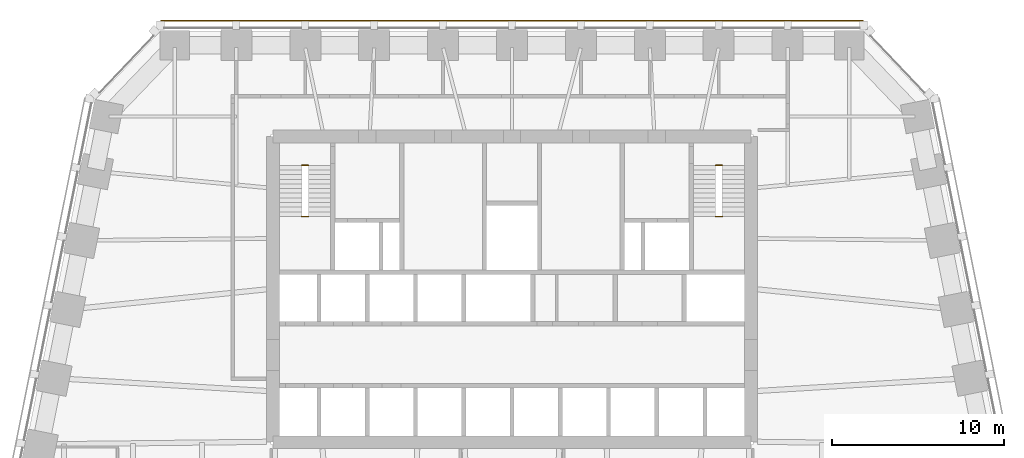
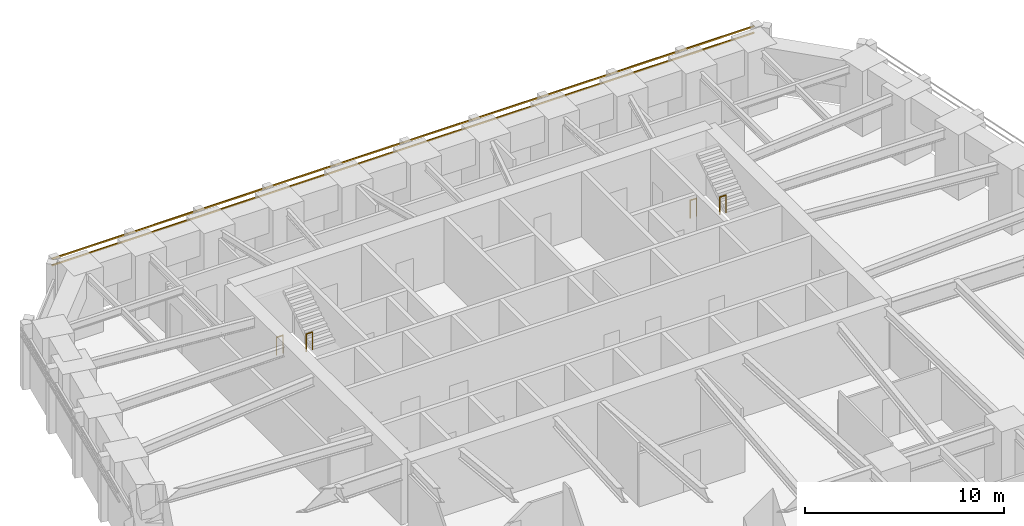
# One storey, part 9 of 9: 4 railings, 2 shading devices.
"""IFC4 building model written with IfcOpenShell, lengths in metres."""

from ifc_helpers import new_model, si_unit, direction, frame, origin, origin_2d, place, context, subcontext, project, spatial, rectangle, circle, extrude, material, material_profile, profile_set, type_object, element, save


model = new_model("IFC4")

# Units and contexts
model_context = context("Model", 3, precision=1e-05, world=origin(), true_north=direction((0.0, 1.0)))
body_context = subcontext(model_context, "Body", "Model", "MODEL_VIEW")
ifc_project = project(units=[si_unit("LENGTHUNIT", "METRE"), si_unit("AREAUNIT", "SQUARE_METRE"), si_unit("VOLUMEUNIT", "CUBIC_METRE"), si_unit("PLANEANGLEUNIT", "RADIAN"), si_unit("MASSUNIT", "GRAM", prefix="KILO")], contexts=[model_context])

# Site, building, storey
site_placement = place(None, origin())
site = spatial("IfcSite", under=ifc_project, at=site_placement, CompositionType="ELEMENT")
building_placement = place(site_placement, origin())
building = spatial("IfcBuilding", under=site, at=building_placement, Name="Isbrekke Arena Tower", CompositionType="ELEMENT")
storey_placement = place(building_placement, frame((0.0, 0.0, 135.0)))
storey = spatial("IfcBuildingStorey", under=building, at=storey_placement, Name="L30", CompositionType="ELEMENT", Elevation=135.0)

# Shading devices
ifc_material_1 = material(Name="Terracotta", Category="masonry")
ifc_material_profile = material_profile(ifc_material_1, rectangle(XDim=0.06005859375, YDim=0.06005859375, at=origin_2d()), Name="BAGUETTE 60X60")
ifc_profile_set = profile_set([ifc_material_profile], Name="Terracotta")
shading_device_type = type_object("IfcShadingDeviceType", Name="BG1 TERRACOTTA BAGUETTE 60 x 60", PredefinedType="USERDEFINED", material=ifc_profile_set)
for number, where, z_axis, x_axis, name in (
    (1, (20.39990234375, 30.60498046875, 3.280029296875), (-1.0, 0.0, 0.0), (0.0, -1.0, 0.0), "BG1 terracotta baguette N1 L30"),
    (2, (20.39990234375, 30.60498046875, 3.679931640625), (-1.0, 0.0, 0.0), (0.0, -1.0, 0.0), "BG1 terracotta baguette N2 L30"),
):
    element("IfcShadingDevice", number, at=place(storey_placement, frame(where, z_axis=z_axis, x_axis=x_axis)), inside=storey, type_object=shading_device_type, Name=name, ObjectType="TERRACOTTA BAGUETTE", PredefinedType="USERDEFINED", context=body_context, shape_type="SweptSolid", body=[
        extrude(rectangle(XDim=0.06005859375, YDim=0.06005859375, at=origin_2d()), origin(), (0.0, 0.0, 1.0), 40.7998046875),
    ])

# Railings
ifc_material_2 = material(Name="Steel stair guard, vertical bars, steel handrail", Category="steel")
railing_type = type_object("IfcRailingType", Name="GR3 STAIR WELL GUARD 1100", PredefinedType="GUARDRAIL", material=ifc_material_2)
for number, where, name in (
    (3, (-12.199951171875, 22.199951171875, 0.0), "GR3 stair well guard ST1 L30"),
    (4, (-12.199951171875, 19.22998046875, 2.0), "GR3 stair well guard ST1 L30"),
    (5, (11.824951171875, 22.199951171875, 0.0), "GR3 stair well guard ST2 L30"),
    (6, (11.824951171875, 19.22998046875, 2.0), "GR3 stair well guard ST2 L30"),
):
    element("IfcRailing", number, at=place(storey_placement, frame(where)), inside=storey, type_object=railing_type, Name=name, PredefinedType="GUARDRAIL", context=body_context, shape_type="SweptSolid", body=[
        extrude(circle(Radius=0.02392578125, at=origin_2d()), frame((0.0, 0.0, 1.076171875), z_axis=(1.0, 0.0, 0.0), x_axis=(0.0, 1.0, 0.0)), (0.0, 0.0, 1.0), 0.375),
        extrude(circle(Radius=0.02099609375, at=origin_2d()), origin(), (0.0, 0.0, 1.0), 1.052001953125),
        extrude(circle(Radius=0.02099609375, at=origin_2d()), frame((0.375, 0.0, 0.0)), (0.0, 0.0, 1.0), 1.052001953125),
    ])

save(model, "model.ifc")
